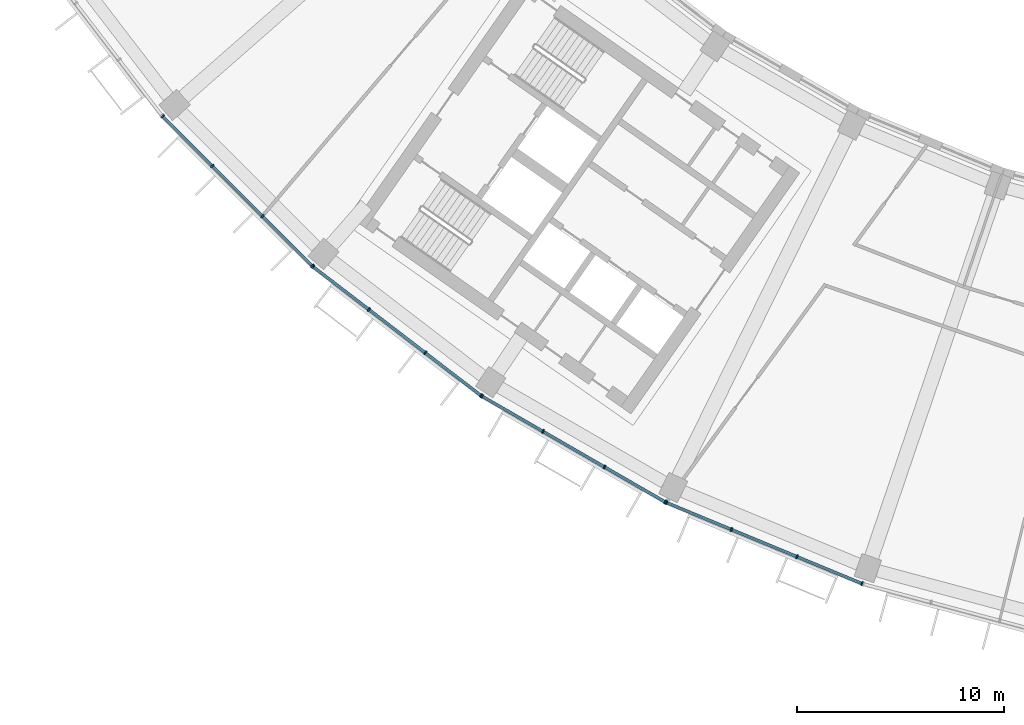
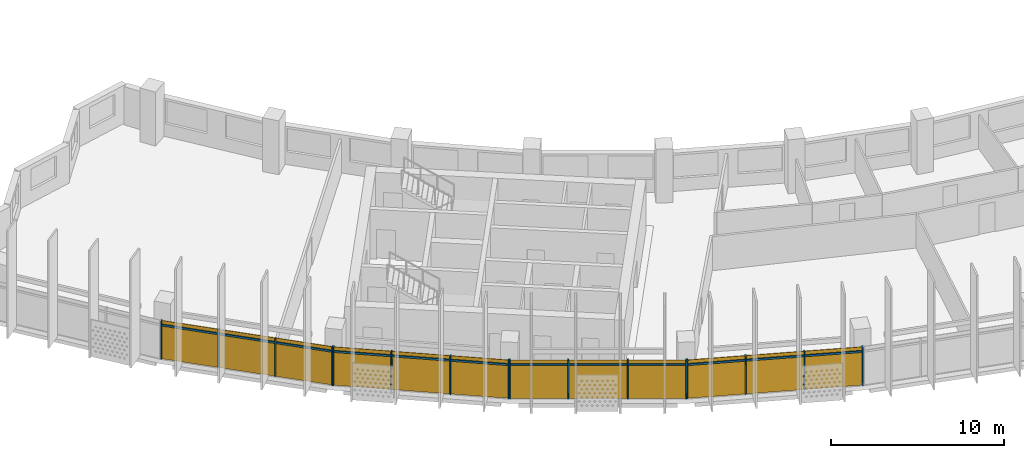
# One storey, part 17 of 28: 28 members, 4 curtain walls.
"""IFC4 building model written with IfcOpenShell, lengths in metres."""

from ifc_helpers import new_model, si_unit, direction, frame, origin, origin_2d, place, context, subcontext, project, spatial, rectangle, extrude, material, material_profile, profile_set, type_object, element, aggregate, save


model = new_model("IFC4")

# Units and contexts
model_context = context("Model", 3, precision=1e-05, world=origin(), true_north=direction((0.0, 1.0)))
body_context = subcontext(model_context, "Body", "Model", "MODEL_VIEW")
ifc_project = project(units=[si_unit("LENGTHUNIT", "METRE"), si_unit("AREAUNIT", "SQUARE_METRE"), si_unit("VOLUMEUNIT", "CUBIC_METRE"), si_unit("PLANEANGLEUNIT", "RADIAN"), si_unit("MASSUNIT", "GRAM", prefix="KILO")], contexts=[model_context])

# Member
ifc_material = material(Name="Aluminium 6063-T6 anodised", Category="aluminium")
ifc_material_profile_1 = material_profile(ifc_material, rectangle(XDim=0.199951171875, YDim=0.070068359375, at=origin_2d()))
ifc_profile_set_1 = profile_set([ifc_material_profile_1], Name="Aluminium 6063-T6 anodised")
member_type_1 = type_object("IfcMemberType", Name="Mullion 70 x 200 aluminium", PredefinedType="MULLION", material=ifc_profile_set_1)
site_placement = place(None, origin())
building_placement = place(site_placement, origin())
storey_placement = place(building_placement, frame((0.0, 0.0, 241.699951171875)))
member_1_placement = place(storey_placement, frame((-59.03662109375, -51.8115234375, 0.0), z_axis=(0.0, 0.0, 1.0), x_axis=(0.707106781187, 0.707106781187, 0.0)))
member_1 = element("IfcMember", 1, at=member_1_placement, type_object=member_type_1, Name="e-cw1-L58-out02/M00", PredefinedType="MULLION", context=body_context, shape_type="SweptSolid", body=[
    extrude(rectangle(XDim=0.199951171875, YDim=0.070068359375, at=origin_2d()), origin(), (0.0, 0.0, 1.0), 2.699951171875),
])

member_2_placement = place(storey_placement, frame((-56.63671875, -54.211669921875, 0.0), z_axis=(0.0, 0.0, 1.0), x_axis=(0.707106781187, 0.707106781187, 0.0)))
member_2 = element("IfcMember", 2, at=member_2_placement, type_object=member_type_1, Name="e-cw1-L58-out02/M01", PredefinedType="MULLION", context=body_context, shape_type="SweptSolid", body=[
    extrude(rectangle(XDim=0.199951171875, YDim=0.070068359375, at=origin_2d()), origin(), (0.0, 0.0, 1.0), 2.699951171875),
])

member_3_placement = place(storey_placement, frame((-54.211669921875, -56.63671875, 0.0), z_axis=(0.0, 0.0, 1.0), x_axis=(0.707106781187, 0.707106781187, 0.0)))
member_3 = element("IfcMember", 3, at=member_3_placement, type_object=member_type_1, Name="e-cw1-L58-out02/M02", PredefinedType="MULLION", context=body_context, shape_type="SweptSolid", body=[
    extrude(rectangle(XDim=0.199951171875, YDim=0.070068359375, at=origin_2d()), origin(), (0.0, 0.0, 1.0), 2.699951171875),
])

member_4_placement = place(storey_placement, frame((-51.8115234375, -59.03662109375, 0.0), z_axis=(0.0, 0.0, 1.0), x_axis=(0.707106781187, 0.707106781187, 0.0)))
member_4 = element("IfcMember", 4, at=member_4_placement, type_object=member_type_1, Name="e-cw1-L58-out02/M03", PredefinedType="MULLION", context=body_context, shape_type="SweptSolid", body=[
    extrude(rectangle(XDim=0.199951171875, YDim=0.070068359375, at=origin_2d()), origin(), (0.0, 0.0, 1.0), 2.699951171875),
])

member_5_placement = place(storey_placement, frame((-51.768798828125, -59.07421875, 0.0), z_axis=(0.0, 0.0, 1.0), x_axis=(0.608761429009, 0.793353340291, 0.0)))
member_5 = element("IfcMember", 5, at=member_5_placement, type_object=member_type_1, Name="e-cw1-L58-out03/M00", PredefinedType="MULLION", context=body_context, shape_type="SweptSolid", body=[
    extrude(rectangle(XDim=0.199951171875, YDim=0.070068359375, at=origin_2d()), origin(), (0.0, 0.0, 1.0), 2.699951171875),
])

member_6_placement = place(storey_placement, frame((-49.075927734375, -61.140380859375, 0.0), z_axis=(0.0, 0.0, 1.0), x_axis=(0.608761429009, 0.793353340291, 0.0)))
member_6 = element("IfcMember", 6, at=member_6_placement, type_object=member_type_1, Name="e-cw1-L58-out03/M01", PredefinedType="MULLION", context=body_context, shape_type="SweptSolid", body=[
    extrude(rectangle(XDim=0.199951171875, YDim=0.070068359375, at=origin_2d()), origin(), (0.0, 0.0, 1.0), 2.699951171875),
])

member_7_placement = place(storey_placement, frame((-46.35546875, -63.22802734375, 0.0), z_axis=(0.0, 0.0, 1.0), x_axis=(0.608761429009, 0.793353340291, 0.0)))
member_7 = element("IfcMember", 7, at=member_7_placement, type_object=member_type_1, Name="e-cw1-L58-out03/M02", PredefinedType="MULLION", context=body_context, shape_type="SweptSolid", body=[
    extrude(rectangle(XDim=0.199951171875, YDim=0.070068359375, at=origin_2d()), origin(), (0.0, 0.0, 1.0), 2.699951171875),
])

member_8_placement = place(storey_placement, frame((-43.66259765625, -65.29443359375, 0.0), z_axis=(0.0, 0.0, 1.0), x_axis=(0.608761429009, 0.793353340291, 0.0)))
member_8 = element("IfcMember", 8, at=member_8_placement, type_object=member_type_1, Name="e-cw1-L58-out03/M03", PredefinedType="MULLION", context=body_context, shape_type="SweptSolid", body=[
    extrude(rectangle(XDim=0.199951171875, YDim=0.070068359375, at=origin_2d()), origin(), (0.0, 0.0, 1.0), 2.699951171875),
])

member_9_placement = place(storey_placement, frame((-43.615234375, -65.325927734375, 0.0), z_axis=(0.0, 0.0, 1.0), x_axis=(0.5, 0.866025403784, 0.0)))
member_9 = element("IfcMember", 9, at=member_9_placement, type_object=member_type_1, Name="e-cw1-L58-out04/M00", PredefinedType="MULLION", context=body_context, shape_type="SweptSolid", body=[
    extrude(rectangle(XDim=0.199951171875, YDim=0.070068359375, at=origin_2d()), origin(), (0.0, 0.0, 1.0), 2.699951171875),
])

member_10_placement = place(storey_placement, frame((-40.67578125, -67.023193359375, 0.0), z_axis=(0.0, 0.0, 1.0), x_axis=(0.5, 0.866025403784, 0.0)))
member_10 = element("IfcMember", 10, at=member_10_placement, type_object=member_type_1, Name="e-cw1-L58-out04/M01", PredefinedType="MULLION", context=body_context, shape_type="SweptSolid", body=[
    extrude(rectangle(XDim=0.199951171875, YDim=0.070068359375, at=origin_2d()), origin(), (0.0, 0.0, 1.0), 2.699951171875),
])

member_11_placement = place(storey_placement, frame((-37.705810546875, -68.73779296875, 0.0), z_axis=(0.0, 0.0, 1.0), x_axis=(0.5, 0.866025403784, 0.0)))
member_11 = element("IfcMember", 11, at=member_11_placement, type_object=member_type_1, Name="e-cw1-L58-out04/M02", PredefinedType="MULLION", context=body_context, shape_type="SweptSolid", body=[
    extrude(rectangle(XDim=0.199951171875, YDim=0.070068359375, at=origin_2d()), origin(), (0.0, 0.0, 1.0), 2.699951171875),
])

member_12_placement = place(storey_placement, frame((-34.766357421875, -70.43505859375, 0.0), z_axis=(0.0, 0.0, 1.0), x_axis=(0.5, 0.866025403784, 0.0)))
member_12 = element("IfcMember", 12, at=member_12_placement, type_object=member_type_1, Name="e-cw1-L58-out04/M03", PredefinedType="MULLION", context=body_context, shape_type="SweptSolid", body=[
    extrude(rectangle(XDim=0.199951171875, YDim=0.070068359375, at=origin_2d()), origin(), (0.0, 0.0, 1.0), 2.699951171875),
])

member_13_placement = place(storey_placement, frame((-34.71533203125, -70.4599609375, 0.0), z_axis=(0.0, 0.0, 1.0), x_axis=(0.382683432365, 0.923879532511, 0.0)))
member_13 = element("IfcMember", 13, at=member_13_placement, type_object=member_type_1, Name="e-cw1-L58-out05/M00", PredefinedType="MULLION", context=body_context, shape_type="SweptSolid", body=[
    extrude(rectangle(XDim=0.199951171875, YDim=0.070068359375, at=origin_2d()), origin(), (0.0, 0.0, 1.0), 2.699951171875),
])

member_14_placement = place(storey_placement, frame((-31.57958984375, -71.759033203125, 0.0), z_axis=(0.0, 0.0, 1.0), x_axis=(0.382683432365, 0.923879532511, 0.0)))
member_14 = element("IfcMember", 14, at=member_14_placement, type_object=member_type_1, Name="e-cw1-L58-out05/M01", PredefinedType="MULLION", context=body_context, shape_type="SweptSolid", body=[
    extrude(rectangle(XDim=0.199951171875, YDim=0.070068359375, at=origin_2d()), origin(), (0.0, 0.0, 1.0), 2.699951171875),
])

member_15_placement = place(storey_placement, frame((-28.4111328125, -73.0712890625, 0.0), z_axis=(0.0, 0.0, 1.0), x_axis=(0.382683432365, 0.923879532511, 0.0)))
member_15 = element("IfcMember", 15, at=member_15_placement, type_object=member_type_1, Name="e-cw1-L58-out05/M02", PredefinedType="MULLION", context=body_context, shape_type="SweptSolid", body=[
    extrude(rectangle(XDim=0.199951171875, YDim=0.070068359375, at=origin_2d()), origin(), (0.0, 0.0, 1.0), 2.699951171875),
])

member_16_placement = place(storey_placement, frame((-25.275390625, -74.370361328125, 0.0), z_axis=(0.0, 0.0, 1.0), x_axis=(0.382683432365, 0.923879532511, 0.0)))
member_16 = element("IfcMember", 16, at=member_16_placement, type_object=member_type_1, Name="e-cw1-L58-out05/M03", PredefinedType="MULLION", context=body_context, shape_type="SweptSolid", body=[
    extrude(rectangle(XDim=0.199951171875, YDim=0.070068359375, at=origin_2d()), origin(), (0.0, 0.0, 1.0), 2.699951171875),
])

ifc_material_profile_2 = material_profile(ifc_material, rectangle(XDim=0.139892578125, YDim=0.1201171875, at=origin_2d()))
ifc_profile_set_2 = profile_set([ifc_material_profile_2], Name="Aluminium 6063-T6 anodised")
member_type_2 = type_object("IfcMemberType", Name="Transom 120 x 140 aluminium", PredefinedType="USERDEFINED", material=ifc_profile_set_2)
member_17_placement = place(storey_placement, frame((-59.011962890625, -51.83642578125, 2.400146484375), z_axis=(0.707106781187, -0.707106781187, 0.0), x_axis=(0.707106781187, 0.707106781187, 0.0)))
member_17 = element("IfcMember", 17, at=member_17_placement, type_object=member_type_2, Name="e-cw1-L58-out02/T00", ObjectType="TRANSOM", PredefinedType="USERDEFINED", context=body_context, shape_type="SweptSolid", body=[
    extrude(rectangle(XDim=0.139892578125, YDim=0.1201171875, at=origin_2d()), origin(), (0.0, 0.0, 1.0), 3.32421875),
])

member_18_placement = place(storey_placement, frame((-56.61181640625, -54.236572265625, 2.400146484375), z_axis=(0.707106781187, -0.707106781187, 0.0), x_axis=(0.707106781187, 0.707106781187, 0.0)))
member_18 = element("IfcMember", 18, at=member_18_placement, type_object=member_type_2, Name="e-cw1-L58-out02/T01", ObjectType="TRANSOM", PredefinedType="USERDEFINED", context=body_context, shape_type="SweptSolid", body=[
    extrude(rectangle(XDim=0.139892578125, YDim=0.1201171875, at=origin_2d()), origin(), (0.0, 0.0, 1.0), 3.359130859375),
])

member_19_placement = place(storey_placement, frame((-54.18701171875, -56.661376953125, 2.400146484375), z_axis=(0.707106781187, -0.707106781187, 0.0), x_axis=(0.707106781187, 0.707106781187, 0.0)))
member_19 = element("IfcMember", 19, at=member_19_placement, type_object=member_type_2, Name="e-cw1-L58-out02/T02", ObjectType="TRANSOM", PredefinedType="USERDEFINED", context=body_context, shape_type="SweptSolid", body=[
    extrude(rectangle(XDim=0.139892578125, YDim=0.1201171875, at=origin_2d()), origin(), (0.0, 0.0, 1.0), 3.32421875),
])

member_20_placement = place(storey_placement, frame((-51.7412109375, -59.095458984375, 2.400146484375), z_axis=(0.793368713958, -0.608741393132, 0.0), x_axis=(0.608741393132, 0.793368713958, 0.0)))
member_20 = element("IfcMember", 20, at=member_20_placement, type_object=member_type_2, Name="e-cw1-L58-out03/T00", ObjectType="TRANSOM", PredefinedType="USERDEFINED", context=body_context, shape_type="SweptSolid", body=[
    extrude(rectangle(XDim=0.139892578125, YDim=0.1201171875, at=origin_2d()), origin(), (0.0, 0.0, 1.0), 3.324462890625),
])

member_21_placement = place(storey_placement, frame((-49.04833984375, -61.161865234375, 2.400146484375), z_axis=(0.793385234627, -0.608719861247, 0.0), x_axis=(0.608719861247, 0.793385234627, 0.0)))
member_21 = element("IfcMember", 21, at=member_21_placement, type_object=member_type_2, Name="e-cw1-L58-out03/T01", ObjectType="TRANSOM", PredefinedType="USERDEFINED", context=body_context, shape_type="SweptSolid", body=[
    extrude(rectangle(XDim=0.139892578125, YDim=0.1201171875, at=origin_2d()), origin(), (0.0, 0.0, 1.0), 3.359375),
])

member_22_placement = place(storey_placement, frame((-46.32763671875, -63.24951171875, 2.400146484375), z_axis=(0.793368713958, -0.608741393132, 0.0), x_axis=(0.608741393132, 0.793368713958, 0.0)))
member_22 = element("IfcMember", 22, at=member_22_placement, type_object=member_type_2, Name="e-cw1-L58-out03/T02", ObjectType="TRANSOM", PredefinedType="USERDEFINED", context=body_context, shape_type="SweptSolid", body=[
    extrude(rectangle(XDim=0.139892578125, YDim=0.1201171875, at=origin_2d()), origin(), (0.0, 0.0, 1.0), 3.324462890625),
])

member_23_placement = place(storey_placement, frame((-43.5849609375, -65.343505859375, 2.400146484375), z_axis=(0.866029041019, -0.499993700073, 0.0), x_axis=(0.499993700073, 0.866029041019, 0.0)))
member_23 = element("IfcMember", 23, at=member_23_placement, type_object=member_type_2, Name="e-cw1-L58-out04/T00", ObjectType="TRANSOM", PredefinedType="USERDEFINED", context=body_context, shape_type="SweptSolid", body=[
    extrude(rectangle(XDim=0.139892578125, YDim=0.1201171875, at=origin_2d()), origin(), (0.0, 0.0, 1.0), 3.32421875),
])

member_24_placement = place(storey_placement, frame((-40.6455078125, -67.04052734375, 2.400146484375), z_axis=(0.866034314054, -0.499984566643, 0.0), x_axis=(0.499984566643, 0.866034314054, 0.0)))
member_24 = element("IfcMember", 24, at=member_24_placement, type_object=member_type_2, Name="e-cw1-L58-out04/T01", ObjectType="TRANSOM", PredefinedType="USERDEFINED", context=body_context, shape_type="SweptSolid", body=[
    extrude(rectangle(XDim=0.139892578125, YDim=0.1201171875, at=origin_2d()), origin(), (0.0, 0.0, 1.0), 3.359375),
])

member_25_placement = place(storey_placement, frame((-37.675537109375, -68.75537109375, 2.400146484375), z_axis=(0.866029041019, -0.499993700073, 0.0), x_axis=(0.499993700073, 0.866029041019, 0.0)))
member_25 = element("IfcMember", 25, at=member_25_placement, type_object=member_type_2, Name="e-cw1-L58-out04/T02", ObjectType="TRANSOM", PredefinedType="USERDEFINED", context=body_context, shape_type="SweptSolid", body=[
    extrude(rectangle(XDim=0.139892578125, YDim=0.1201171875, at=origin_2d()), origin(), (0.0, 0.0, 1.0), 3.32421875),
])

member_26_placement = place(storey_placement, frame((-34.68310546875, -70.473388671875, 2.400146484375), z_axis=(0.923874511193, -0.382695554676, 0.0), x_axis=(0.382695554676, 0.923874511193, 0.0)))
member_26 = element("IfcMember", 26, at=member_26_placement, type_object=member_type_2, Name="e-cw1-L58-out05/T00", ObjectType="TRANSOM", PredefinedType="USERDEFINED", context=body_context, shape_type="SweptSolid", body=[
    extrude(rectangle(XDim=0.139892578125, YDim=0.1201171875, at=origin_2d()), origin(), (0.0, 0.0, 1.0), 3.324462890625),
])

member_27_placement = place(storey_placement, frame((-31.547119140625, -71.7724609375, 2.400146484375), z_axis=(0.923891938088, -0.38265348128, 0.0), x_axis=(0.38265348128, 0.923891938088, 0.0)))
member_27 = element("IfcMember", 27, at=member_27_placement, type_object=member_type_2, Name="e-cw1-L58-out05/T01", ObjectType="TRANSOM", PredefinedType="USERDEFINED", context=body_context, shape_type="SweptSolid", body=[
    extrude(rectangle(XDim=0.139892578125, YDim=0.1201171875, at=origin_2d()), origin(), (0.0, 0.0, 1.0), 3.359130859375),
])

member_28_placement = place(storey_placement, frame((-28.37890625, -73.084716796875, 2.400146484375), z_axis=(0.923874511193, -0.382695554676, 0.0), x_axis=(0.382695554676, 0.923874511193, 0.0)))
member_28 = element("IfcMember", 28, at=member_28_placement, type_object=member_type_2, Name="e-cw1-L58-out05/T02", ObjectType="TRANSOM", PredefinedType="USERDEFINED", context=body_context, shape_type="SweptSolid", body=[
    extrude(rectangle(XDim=0.139892578125, YDim=0.1201171875, at=origin_2d()), origin(), (0.0, 0.0, 1.0), 3.324462890625),
])

# Site, building, storey
site = spatial("IfcSite", under=ifc_project, at=site_placement, CompositionType="ELEMENT")
building = spatial("IfcBuilding", under=site, at=building_placement, Name="Qamariyya Broadcast Tower", CompositionType="ELEMENT")
storey = spatial("IfcBuildingStorey", under=building, at=storey_placement, Name="L58", CompositionType="ELEMENT", Elevation=241.699951171875)

# Curtain wall
curtain_wall_type = type_object("IfcCurtainWallType", Name="Unitised curtain wall, anodised aluminium", PredefinedType="NOTDEFINED", material=ifc_material)
curtain_wall_1_placement = place(storey_placement, origin())
curtain_wall_1 = element("IfcCurtainWall", 29, at=curtain_wall_1_placement, inside=storey, type_object=curtain_wall_type, Name="e-cw1-L58-out02", PredefinedType="NOTDEFINED", context=body_context, shape_type="SweptSolid", body=[
    extrude(rectangle(XDim=3.32421875, YDim=0.031982421875, at=origin_2d()), frame((-57.836669921875, -53.01171875, 0.0), x_axis=(0.707106781187, -0.707106781187, 0.0)), (0.0, 0.0, 1.0), 2.340087890625),
    extrude(rectangle(XDim=3.32421875, YDim=0.031982421875, at=origin_2d()), frame((-57.836669921875, -53.01171875, 2.4599609375), x_axis=(0.707106781187, -0.707106781187, 0.0)), (0.0, 0.0, 1.0), 0.239990234375),
    extrude(rectangle(XDim=3.359375, YDim=0.031982421875, at=origin_2d()), frame((-55.42431640625, -55.42431640625, 0.0), x_axis=(0.707106781187, -0.707106781187, 0.0)), (0.0, 0.0, 1.0), 2.340087890625),
    extrude(rectangle(XDim=3.359375, YDim=0.031982421875, at=origin_2d()), frame((-55.42431640625, -55.42431640625, 2.4599609375), x_axis=(0.707106781187, -0.707106781187, 0.0)), (0.0, 0.0, 1.0), 0.239990234375),
    extrude(rectangle(XDim=3.32421875, YDim=0.031982421875, at=origin_2d()), frame((-53.01171875, -57.836669921875, 0.0), x_axis=(0.707106781187, -0.707106781187, 0.0)), (0.0, 0.0, 1.0), 2.340087890625),
    extrude(rectangle(XDim=3.32421875, YDim=0.031982421875, at=origin_2d()), frame((-53.01171875, -57.836669921875, 2.4599609375), x_axis=(0.707106781187, -0.707106781187, 0.0)), (0.0, 0.0, 1.0), 0.239990234375),
])

aggregate(curtain_wall_1, [member_1, member_2, member_3, member_4, member_17, member_18, member_19])

curtain_wall_2_placement = place(storey_placement, origin())
curtain_wall_2 = element("IfcCurtainWall", 30, at=curtain_wall_2_placement, inside=storey, type_object=curtain_wall_type, Name="e-cw1-L58-out03", PredefinedType="NOTDEFINED", context=body_context, shape_type="SweptSolid", body=[
    extrude(rectangle(XDim=3.32421875, YDim=0.031982421875, at=origin_2d()), frame((-50.42236328125, -60.107421875, 0.0), x_axis=(0.793359168734, -0.608753833159, 0.0)), (0.0, 0.0, 1.0), 2.340087890625),
    extrude(rectangle(XDim=3.32421875, YDim=0.031982421875, at=origin_2d()), frame((-50.42236328125, -60.107421875, 2.4599609375), x_axis=(0.793359168734, -0.608753833159, 0.0)), (0.0, 0.0, 1.0), 0.239990234375),
    extrude(rectangle(XDim=3.359130859375, YDim=0.031982421875, at=origin_2d()), frame((-47.7158203125, -62.184326171875, 0.0), x_axis=(0.793359168734, -0.608753833159, 0.0)), (0.0, 0.0, 1.0), 2.340087890625),
    extrude(rectangle(XDim=3.359130859375, YDim=0.031982421875, at=origin_2d()), frame((-47.7158203125, -62.184326171875, 2.4599609375), x_axis=(0.793359168734, -0.608753833159, 0.0)), (0.0, 0.0, 1.0), 0.239990234375),
    extrude(rectangle(XDim=3.32421875, YDim=0.031982421875, at=origin_2d()), frame((-45.009033203125, -64.26123046875, 0.0), x_axis=(0.793359168734, -0.608753833159, 0.0)), (0.0, 0.0, 1.0), 2.340087890625),
    extrude(rectangle(XDim=3.32421875, YDim=0.031982421875, at=origin_2d()), frame((-45.009033203125, -64.26123046875, 2.4599609375), x_axis=(0.793359168734, -0.608753833159, 0.0)), (0.0, 0.0, 1.0), 0.239990234375),
])

aggregate(curtain_wall_2, [member_5, member_6, member_7, member_8, member_20, member_21, member_22])

curtain_wall_3_placement = place(storey_placement, origin())
curtain_wall_3 = element("IfcCurtainWall", 31, at=curtain_wall_3_placement, inside=storey, type_object=curtain_wall_type, Name="e-cw1-L58-out04", PredefinedType="NOTDEFINED", context=body_context, shape_type="SweptSolid", body=[
    extrude(rectangle(XDim=3.32421875, YDim=0.031982421875, at=origin_2d()), frame((-42.1455078125, -66.174560546875, 0.0), x_axis=(0.866027904674, -0.499995668308, 0.0)), (0.0, 0.0, 1.0), 2.340087890625),
    extrude(rectangle(XDim=3.32421875, YDim=0.031982421875, at=origin_2d()), frame((-42.1455078125, -66.174560546875, 2.4599609375), x_axis=(0.866027904674, -0.499995668308, 0.0)), (0.0, 0.0, 1.0), 0.239990234375),
    extrude(rectangle(XDim=3.359130859375, YDim=0.031982421875, at=origin_2d()), frame((-39.19091796875, -67.88037109375, 0.0), x_axis=(0.866027904674, -0.499995668308, 0.0)), (0.0, 0.0, 1.0), 2.340087890625),
    extrude(rectangle(XDim=3.359130859375, YDim=0.031982421875, at=origin_2d()), frame((-39.19091796875, -67.88037109375, 2.4599609375), x_axis=(0.866027904674, -0.499995668308, 0.0)), (0.0, 0.0, 1.0), 0.239990234375),
    extrude(rectangle(XDim=3.32421875, YDim=0.031982421875, at=origin_2d()), frame((-36.236083984375, -69.58642578125, 0.0), x_axis=(0.866027904674, -0.499995668308, 0.0)), (0.0, 0.0, 1.0), 2.340087890625),
    extrude(rectangle(XDim=3.32421875, YDim=0.031982421875, at=origin_2d()), frame((-36.236083984375, -69.58642578125, 2.4599609375), x_axis=(0.866027904674, -0.499995668308, 0.0)), (0.0, 0.0, 1.0), 0.239990234375),
])

aggregate(curtain_wall_3, [member_9, member_10, member_11, member_12, member_23, member_24, member_25])

curtain_wall_4_placement = place(storey_placement, origin())
curtain_wall_4 = element("IfcCurtainWall", 32, at=curtain_wall_4_placement, inside=storey, type_object=curtain_wall_type, Name="e-cw1-L58-out05", PredefinedType="NOTDEFINED", context=body_context, shape_type="SweptSolid", body=[
    extrude(rectangle(XDim=3.32421875, YDim=0.031982421875, at=origin_2d()), frame((-33.1474609375, -71.109375, 0.0), x_axis=(0.923880895135, -0.382680142683, 0.0)), (0.0, 0.0, 1.0), 2.340087890625),
    extrude(rectangle(XDim=3.32421875, YDim=0.031982421875, at=origin_2d()), frame((-33.1474609375, -71.109375, 2.4599609375), x_axis=(0.923880895135, -0.382680142683, 0.0)), (0.0, 0.0, 1.0), 0.239990234375),
    extrude(rectangle(XDim=3.359375, YDim=0.031982421875, at=origin_2d()), frame((-29.995361328125, -72.4150390625, 0.0), x_axis=(0.923880895135, -0.382680142683, 0.0)), (0.0, 0.0, 1.0), 2.340087890625),
    extrude(rectangle(XDim=3.359375, YDim=0.031982421875, at=origin_2d()), frame((-29.995361328125, -72.4150390625, 2.4599609375), x_axis=(0.923880895135, -0.382680142683, 0.0)), (0.0, 0.0, 1.0), 0.239990234375),
    extrude(rectangle(XDim=3.32421875, YDim=0.031982421875, at=origin_2d()), frame((-26.84326171875, -73.720703125, 0.0), x_axis=(0.923880895135, -0.382680142683, 0.0)), (0.0, 0.0, 1.0), 2.340087890625),
    extrude(rectangle(XDim=3.32421875, YDim=0.031982421875, at=origin_2d()), frame((-26.84326171875, -73.720703125, 2.4599609375), x_axis=(0.923880895135, -0.382680142683, 0.0)), (0.0, 0.0, 1.0), 0.239990234375),
])

aggregate(curtain_wall_4, [member_13, member_14, member_15, member_16, member_26, member_27, member_28])

save(model, "model.ifc")
